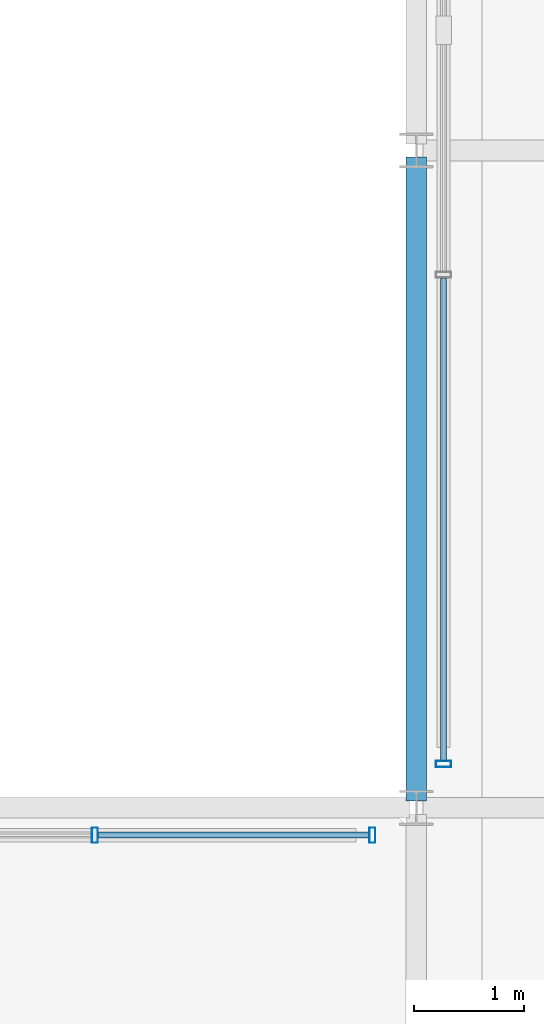
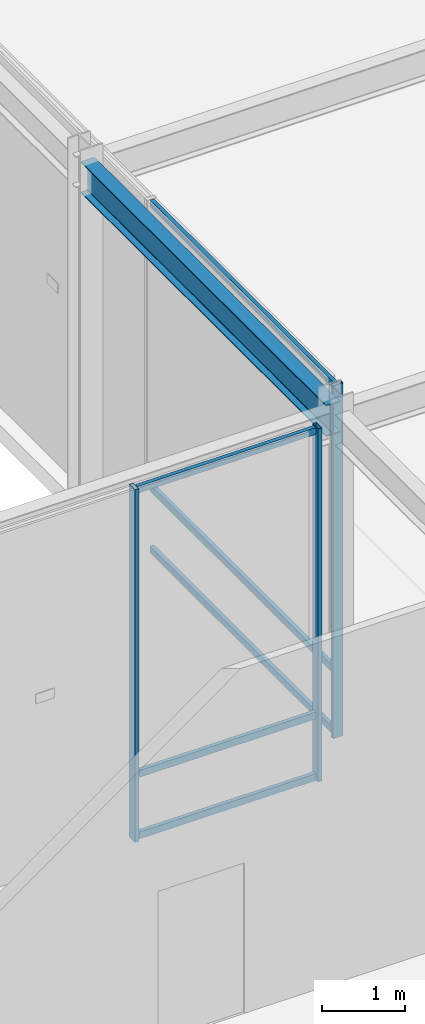
# One storey, part 29 of 157: 9 members, 1 beam, 2 elements without a shape of their own.
"""IFC4 building model written with IfcOpenShell, lengths in metres."""

from ifc_helpers import new_model, si_unit, direction, frame, origin, origin_2d, place, context, subcontext, project, spatial, hollow_rectangle, i_section, extrude, material, material_profile, profile_set, type_object, element, aggregate, save


model = new_model("IFC4")

# Units and contexts
model_context = context("Model", 3, precision=1e-05, world=origin(), true_north=direction((0.0, 1.0)))
body_context = subcontext(model_context, "Body", "Model", "MODEL_VIEW")
ifc_project = project(units=[si_unit("LENGTHUNIT", "METRE"), si_unit("AREAUNIT", "SQUARE_METRE"), si_unit("VOLUMEUNIT", "CUBIC_METRE"), si_unit("PLANEANGLEUNIT", "RADIAN"), si_unit("MASSUNIT", "GRAM", prefix="KILO"), si_unit("THERMODYNAMICTEMPERATUREUNIT", "KELVIN"), si_unit("POWERUNIT", "WATT")], contexts=[model_context])

# Site, building, storey
site_placement = place(None, origin())
site = spatial("IfcSite", under=ifc_project, at=site_placement, CompositionType="ELEMENT")
building_placement = place(site_placement, origin())
building = spatial("IfcBuilding", under=site, at=building_placement, Name="Darbajah Civic Hall", CompositionType="ELEMENT")
storey_placement = place(building_placement, origin())
storey = spatial("IfcBuildingStorey", under=building, at=storey_placement, Name="L00", CompositionType="ELEMENT", Elevation=0.0)

# Curtain wall, members
ifc_material_1 = material(Name="Anodised Bronze Aluminium and Low-E Glazing", Category="aluminium")
curtain_wall_type_1 = type_object("IfcCurtainWallType", Name="Unitised Curtain Wall CW-101 7600x5150", PredefinedType="USERDEFINED", material=ifc_material_1)
curtain_wall_1_placement = place(storey_placement, origin())
curtain_wall_1 = element("IfcCurtainWall", 1, at=curtain_wall_1_placement, inside=storey, type_object=curtain_wall_type_1, Name="L00 unitised curtain wall CW-V6-SW-N2-L00", ObjectType="UNITISED CURTAIN WALL", PredefinedType="USERDEFINED")
ifc_material_2 = material(Name="Anodised Bronze Aluminium", Category="aluminium")
ifc_material_profile_1 = material_profile(ifc_material_2, hollow_rectangle(XDim=0.054931640625, YDim=0.139892578125, WallThickness=0.003173828125, at=origin_2d()), Name="ALU MULLION 55x140")
ifc_profile_set_1 = profile_set([ifc_material_profile_1], Name="Anodised Bronze Aluminium")
member_type_1 = type_object("IfcMemberType", Name="ALU MULLION 55x140", PredefinedType="MULLION", material=ifc_profile_set_1)
member_1_placement = place(storey_placement, frame((81.066650390625, 41.75, 0.0), z_axis=(0.0, 0.0, 1.0), x_axis=(1.0, 0.0, 0.0)))
member_1 = element("IfcMember", 2, at=member_1_placement, type_object=member_type_1, Name="CW-V6-SW-N2-L00 mullion 3", PredefinedType="MULLION", context=body_context, shape_type="SweptSolid", body=[
    extrude(hollow_rectangle(XDim=0.054931640625, YDim=0.139892578125, WallThickness=0.003173828125, at=origin_2d()), origin(), (0.0, 0.0, 1.0), 5.159912109375),
])
member_2_placement = place(storey_placement, frame((83.60009765625, 41.75, 0.0), z_axis=(0.0, 0.0, 1.0), x_axis=(1.0, 0.0, 0.0)))
member_2 = element("IfcMember", 3, at=member_2_placement, type_object=member_type_1, Name="CW-V6-SW-N2-L00 mullion 4", PredefinedType="MULLION", context=body_context, shape_type="SweptSolid", body=[
    extrude(hollow_rectangle(XDim=0.054931640625, YDim=0.139892578125, WallThickness=0.003173828125, at=origin_2d()), origin(), (0.0, 0.0, 1.0), 5.159912109375),
])

# Curtain wall, member
curtain_wall_type_2 = type_object("IfcCurtainWallType", Name="Unitised Curtain Wall CW-102 13400x5150", PredefinedType="USERDEFINED", material=ifc_material_1)
curtain_wall_2_placement = place(storey_placement, origin())
curtain_wall_2 = element("IfcCurtainWall", 4, at=curtain_wall_2_placement, inside=storey, type_object=curtain_wall_type_2, Name="L00 unitised curtain wall CW-V6-PW-L00", ObjectType="UNITISED CURTAIN WALL", PredefinedType="USERDEFINED")
member_3_placement = place(storey_placement, frame((84.25, 42.39990234375, 0.0), z_axis=(0.0, 0.0, 1.0), x_axis=(0.0, 1.0, 0.0)))
member_3 = element("IfcMember", 5, at=member_3_placement, type_object=member_type_1, Name="CW-V6-PW-L00 mullion 1", PredefinedType="MULLION", context=body_context, shape_type="SweptSolid", body=[
    extrude(hollow_rectangle(XDim=0.054931640625, YDim=0.139892578125, WallThickness=0.003173828125, at=origin_2d()), origin(), (0.0, 0.0, 1.0), 5.159912109375),
])

# Member
ifc_material_profile_2 = material_profile(ifc_material_2, hollow_rectangle(XDim=0.054931640625, YDim=0.10009765625, WallThickness=0.0029296875, at=origin_2d()), Name="ALU TRANSOM 55x100")
ifc_profile_set_2 = profile_set([ifc_material_profile_2], Name="Anodised Bronze Aluminium")
member_type_2 = type_object("IfcMemberType", Name="ALU TRANSOM 55x100", PredefinedType="USERDEFINED", material=ifc_profile_set_2)
member_4_placement = place(storey_placement, frame((81.09912109375, 41.75, 0.050048828125), z_axis=(1.0, 0.0, 0.0), x_axis=(0.0, 1.0, 0.0)))
member_4 = element("IfcMember", 6, at=member_4_placement, type_object=member_type_2, Name="CW-V6-SW-N2-L00 transom 3.1", ObjectType="TRANSOM", PredefinedType="USERDEFINED", context=body_context, shape_type="SweptSolid", body=[
    extrude(hollow_rectangle(XDim=0.054931640625, YDim=0.10009765625, WallThickness=0.0029296875, at=origin_2d()), origin(), (0.0, 0.0, 1.0), 2.46826171875),
])

member_5_placement = place(storey_placement, frame((81.09912109375, 41.75, 0.949951171875), z_axis=(1.0, 0.0, 0.0), x_axis=(0.0, 1.0, 0.0)))
member_5 = element("IfcMember", 7, at=member_5_placement, type_object=member_type_2, Name="CW-V6-SW-N2-L00 transom 3.2", ObjectType="TRANSOM", PredefinedType="USERDEFINED", context=body_context, shape_type="SweptSolid", body=[
    extrude(hollow_rectangle(XDim=0.054931640625, YDim=0.10009765625, WallThickness=0.0029296875, at=origin_2d()), origin(), (0.0, 0.0, 1.0), 2.46826171875),
])

member_6_placement = place(storey_placement, frame((81.09912109375, 41.75, 5.110107421875), z_axis=(1.0, 0.0, 0.0), x_axis=(0.0, 1.0, 0.0)))
member_6 = element("IfcMember", 8, at=member_6_placement, type_object=member_type_2, Name="CW-V6-SW-N2-L00 transom 3.3", ObjectType="TRANSOM", PredefinedType="USERDEFINED", context=body_context, shape_type="SweptSolid", body=[
    extrude(hollow_rectangle(XDim=0.054931640625, YDim=0.10009765625, WallThickness=0.0029296875, at=origin_2d()), origin(), (0.0, 0.0, 1.0), 2.46826171875),
])

aggregate(curtain_wall_1, [member_1, member_2, member_4, member_5, member_6])

member_7_placement = place(storey_placement, frame((84.25, 42.4326171875, 0.050048828125), z_axis=(0.0, 1.0, 0.0), x_axis=(-1.0, 0.0, 0.0)))
member_7 = element("IfcMember", 9, at=member_7_placement, type_object=member_type_2, Name="CW-V6-PW-L00 transom 1.1", ObjectType="TRANSOM", PredefinedType="USERDEFINED", context=body_context, shape_type="SweptSolid", body=[
    extrude(hollow_rectangle(XDim=0.054931640625, YDim=0.10009765625, WallThickness=0.0029296875, at=origin_2d()), origin(), (0.0, 0.0, 1.0), 4.401611328125),
])

member_8_placement = place(storey_placement, frame((84.25, 42.4326171875, 0.949951171875), z_axis=(0.0, 1.0, 0.0), x_axis=(-1.0, 0.0, 0.0)))
member_8 = element("IfcMember", 10, at=member_8_placement, type_object=member_type_2, Name="CW-V6-PW-L00 transom 1.2", ObjectType="TRANSOM", PredefinedType="USERDEFINED", context=body_context, shape_type="SweptSolid", body=[
    extrude(hollow_rectangle(XDim=0.054931640625, YDim=0.10009765625, WallThickness=0.0029296875, at=origin_2d()), origin(), (0.0, 0.0, 1.0), 4.401611328125),
])

member_9_placement = place(storey_placement, frame((84.25, 42.4326171875, 5.110107421875), z_axis=(0.0, 1.0, 0.0), x_axis=(-1.0, 0.0, 0.0)))
member_9 = element("IfcMember", 11, at=member_9_placement, type_object=member_type_2, Name="CW-V6-PW-L00 transom 1.3", ObjectType="TRANSOM", PredefinedType="USERDEFINED", context=body_context, shape_type="SweptSolid", body=[
    extrude(hollow_rectangle(XDim=0.054931640625, YDim=0.10009765625, WallThickness=0.0029296875, at=origin_2d()), origin(), (0.0, 0.0, 1.0), 4.401611328125),
])

aggregate(curtain_wall_2, [member_3, member_7, member_8, member_9])

# Beam
ifc_material_3 = material(Name="Steel S355JR", Category="steel")
ifc_material_profile_3 = material_profile(ifc_material_3, i_section(OverallWidth=0.1904296875, OverallDepth=0.45703125, WebThickness=0.009033203125, FlangeThickness=0.014404296875, FilletRadius=0.01025390625, at=origin_2d()), Name="UB 457x191x74")
ifc_profile_set_3 = profile_set([ifc_material_profile_3], Name="Steel S355JR")
beam_type = type_object("IfcBeamType", Name="UB 457x191x74", PredefinedType="BEAM", material=ifc_profile_set_3)
beam_placement = place(storey_placement, frame((84.0, 42.06005859375, 4.931396484375), z_axis=(0.0, 1.0, 0.0), x_axis=(-1.0, 0.0, 0.0)))
element("IfcBeam", 12, at=beam_placement, inside=storey, type_object=beam_type, Name="L00 beam SB-457", PredefinedType="BEAM", context=body_context, shape_type="SweptSolid", body=[
    extrude(i_section(OverallWidth=0.1904296875, OverallDepth=0.45703125, WebThickness=0.009033203125, FlangeThickness=0.014404296875, FilletRadius=0.01025390625, at=origin_2d()), origin(), (0.0, 0.0, 1.0), 5.8798828125),
])

save(model, "model.ifc")
